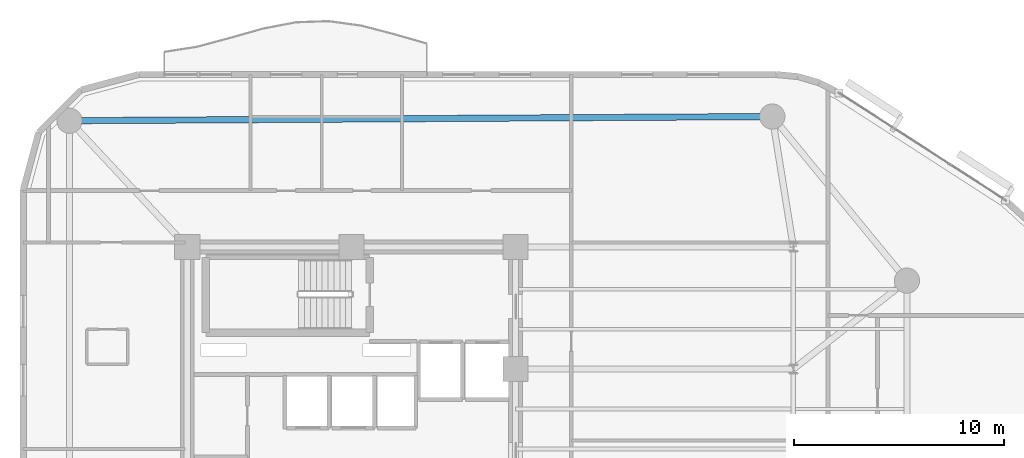
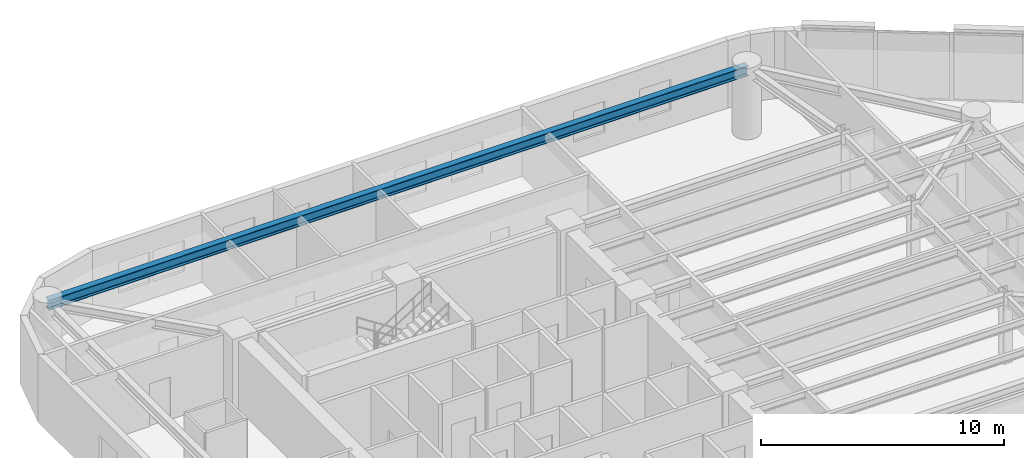
# One storey, part 7 of 15: 1 beam.
"""IFC4 building model written with IfcOpenShell, lengths in metres."""

from ifc_helpers import new_model, si_unit, direction, frame, origin, origin_2d, place, context, subcontext, project, spatial, i_section, extrude, material, material_profile, profile_set, type_object, element, save


model = new_model("IFC4")

# Units and contexts
model_context = context("Model", 3, precision=1e-05, world=origin(), true_north=direction((0.0, 1.0)))
body_context = subcontext(model_context, "Body", "Model", "MODEL_VIEW")
ifc_project = project(units=[si_unit("LENGTHUNIT", "METRE"), si_unit("AREAUNIT", "SQUARE_METRE"), si_unit("VOLUMEUNIT", "CUBIC_METRE"), si_unit("PLANEANGLEUNIT", "RADIAN"), si_unit("MASSUNIT", "GRAM", prefix="KILO")], contexts=[model_context])

# Site, building, storey
site_placement = place(None, origin())
site = spatial("IfcSite", under=ifc_project, at=site_placement, CompositionType="ELEMENT")
building_placement = place(site_placement, origin())
building = spatial("IfcBuilding", under=site, at=building_placement, Name="An Khanh Terracotta Commons", CompositionType="ELEMENT")
storey_placement = place(building_placement, frame((0.0, 0.0, 165.39990234375)))
storey = spatial("IfcBuildingStorey", under=building, at=storey_placement, Name="L43", CompositionType="ELEMENT", Elevation=165.39990234375)

# Beam
ifc_material = material(Name="Steel S355J2", Category="steel")
ifc_material_profile = material_profile(ifc_material, i_section(OverallWidth=0.300048828125, OverallDepth=0.5, WebThickness=0.014404296875, FlangeThickness=0.028076171875, FilletRadius=0.027099609375, at=origin_2d()), Name="HEB500")
ifc_profile_set = profile_set([ifc_material_profile], Name="Steel S355J2")
beam_type = type_object("IfcBeamType", Name="BM-HEB500", PredefinedType="BEAM", material=ifc_profile_set)
beam_placement = place(storey_placement, frame((49.39990234375, 39.800048828125, 3.150146484375), z_axis=(-0.999982080914, -0.005986472262, 0.0), x_axis=(0.005986472262, -0.999982080914, 0.0)))
element("IfcBeam", 1, at=beam_placement, inside=storey, type_object=beam_type, Name="L43 Perimeter Ring Spandrel 5", PredefinedType="BEAM", context=body_context, shape_type="SweptSolid", body=[
    extrude(i_section(OverallWidth=0.300048828125, OverallDepth=0.5, WebThickness=0.014404296875, FlangeThickness=0.028076171875, FilletRadius=0.027099609375, at=origin_2d()), origin(), (0.0, 0.0, 1.0), 33.400390625),
])

save(model, "model.ifc")
